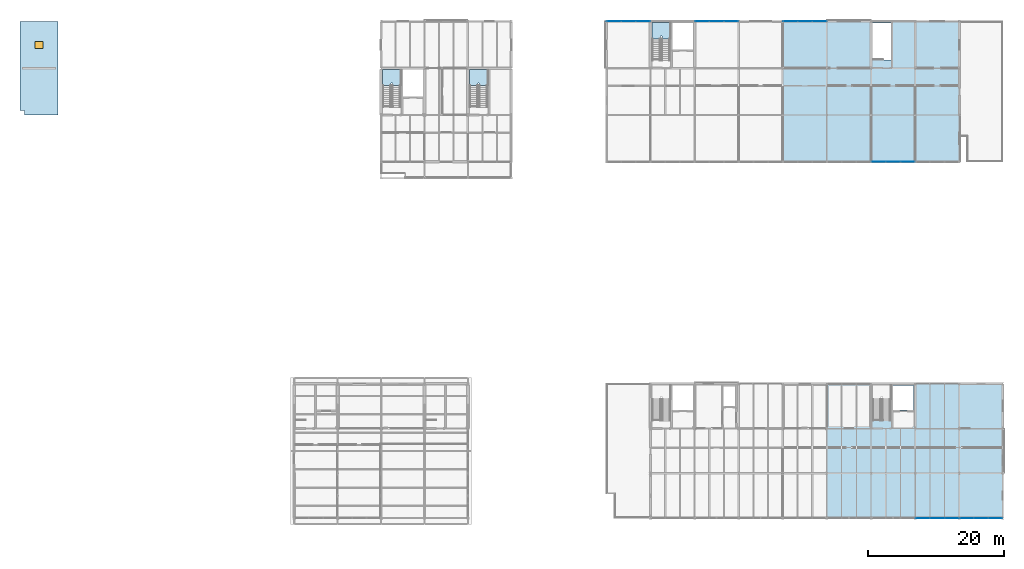
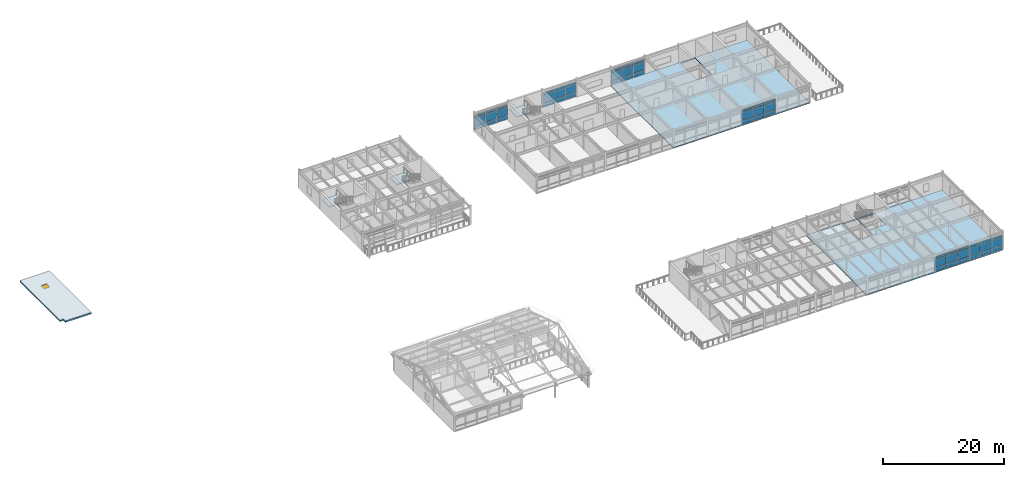
# One storey, part 37 of 57: 54 plates, 6 slabs, 1 door, 1 opening, 9 elements without a shape of their own.
"""IFC4 building model written with IfcOpenShell, lengths in metres."""

from ifc_helpers import new_model, si_unit, direction, frame, origin, origin_2d, place, context, subcontext, project, spatial, polyline, rectangle, outline, extrude, material, layer, layer_set, type_object, element, fill, aggregate, save


model = new_model("IFC4")

# Units and contexts
model_context = context("Model", 3, precision=1e-05, world=origin(), true_north=direction((0.0, 1.0)))
body_context = subcontext(model_context, "Body", "Model", "MODEL_VIEW")
ifc_project = project(units=[si_unit("LENGTHUNIT", "METRE"), si_unit("AREAUNIT", "SQUARE_METRE"), si_unit("VOLUMEUNIT", "CUBIC_METRE"), si_unit("PLANEANGLEUNIT", "RADIAN"), si_unit("MASSUNIT", "GRAM", prefix="KILO")], contexts=[model_context])

# Site, building, storey
site_placement = place(None, origin())
site = spatial("IfcSite", under=ifc_project, at=site_placement, CompositionType="ELEMENT")
building_placement = place(site_placement, origin())
building = spatial("IfcBuilding", under=site, at=building_placement, Name="Trelmorton Wharf Fire Station", CompositionType="ELEMENT")
storey_placement = place(building_placement, frame((0.0, 0.0, 13.5)))
storey = spatial("IfcBuildingStorey", under=building, at=storey_placement, Name="L03", CompositionType="ELEMENT", Elevation=13.5)

# Curtain wall, plates
ifc_material_1 = material(Name="Anodised aluminium AW-6063", Category="aluminium")
ifc_layer_1 = layer(ifc_material_1, 0.159912109375)
ifc_layer_set_1 = layer_set([ifc_layer_1], Name="Anodised aluminium AW-6063")
curtain_wall_type_1 = type_object("IfcCurtainWallType", Name="CW_CHIC_A", PredefinedType="USERDEFINED", material=ifc_layer_set_1)
curtain_wall_1_placement = place(storey_placement, origin())
curtain_wall_1 = element("IfcCurtainWall", 1, at=curtain_wall_1_placement, inside=storey, type_object=curtain_wall_type_1, Name="CW-V5-L03-067", ObjectType="CHICAGO BAY CURTAIN WALL", PredefinedType="USERDEFINED")
ifc_material_2 = material(Name="Tempered low-E double glazing", Category="glass")
ifc_layer_2 = layer(ifc_material_2, 0.028076171875)
ifc_layer_set_2 = layer_set([ifc_layer_2], Name="Tempered low-E double glazing")
plate_type_1 = type_object("IfcPlateType", Name="CWP_GLAZ_28", PredefinedType="CURTAIN_PANEL", material=ifc_layer_set_2)
plate_1_placement = place(storey_placement, frame((154.8984375, 7.800048828125, 0.06005859375), z_axis=(0.0, 0.0, 1.0), x_axis=(-1.0, 0.0, 0.0)))
plate_1 = element("IfcPlate", 2, at=plate_1_placement, type_object=plate_type_1, Name="CW1 panel 1.1", PredefinedType="CURTAIN_PANEL", context=body_context, shape_type="SweptSolid", body=[
    extrude(rectangle(XDim=2.0732421875, YDim=0.028076171875, at=origin_2d()), origin(), (0.0, 0.0, 1.0), 0.760009765625),
])
plate_2_placement = place(storey_placement, frame((154.8984375, 7.800048828125, 0.8798828125), z_axis=(0.0, 0.0, 1.0), x_axis=(-1.0, 0.0, 0.0)))
plate_2 = element("IfcPlate", 3, at=plate_2_placement, type_object=plate_type_1, Name="CW1 panel 1.2", PredefinedType="CURTAIN_PANEL", context=body_context, shape_type="SweptSolid", body=[
    extrude(rectangle(XDim=2.0732421875, YDim=0.028076171875, at=origin_2d()), origin(), (0.0, 0.0, 1.0), 1.610107421875),
])
plate_3_placement = place(storey_placement, frame((154.8984375, 7.800048828125, 2.5498046875), z_axis=(0.0, 0.0, 1.0), x_axis=(-1.0, 0.0, 0.0)))
plate_3 = element("IfcPlate", 4, at=plate_3_placement, type_object=plate_type_1, Name="CW1 panel 1.3", PredefinedType="CURTAIN_PANEL", context=body_context, shape_type="SweptSolid", body=[
    extrude(rectangle(XDim=2.0732421875, YDim=0.028076171875, at=origin_2d()), origin(), (0.0, 0.0, 1.0), 0.409912109375),
])
plate_4_placement = place(storey_placement, frame((152.75, 7.800048828125, 0.06005859375), z_axis=(0.0, 0.0, 1.0), x_axis=(-1.0, 0.0, 0.0)))
plate_4 = element("IfcPlate", 5, at=plate_4_placement, type_object=plate_type_1, Name="CW1 panel 2.1", PredefinedType="CURTAIN_PANEL", context=body_context, shape_type="SweptSolid", body=[
    extrude(rectangle(XDim=2.103271484375, YDim=0.028076171875, at=origin_2d()), origin(), (0.0, 0.0, 1.0), 0.760009765625),
])
plate_5_placement = place(storey_placement, frame((152.75, 7.800048828125, 0.8798828125), z_axis=(0.0, 0.0, 1.0), x_axis=(-1.0, 0.0, 0.0)))
plate_5 = element("IfcPlate", 6, at=plate_5_placement, type_object=plate_type_1, Name="CW1 panel 2.2", PredefinedType="CURTAIN_PANEL", context=body_context, shape_type="SweptSolid", body=[
    extrude(rectangle(XDim=2.103271484375, YDim=0.028076171875, at=origin_2d()), origin(), (0.0, 0.0, 1.0), 1.610107421875),
])
plate_6_placement = place(storey_placement, frame((152.75, 7.800048828125, 2.5498046875), z_axis=(0.0, 0.0, 1.0), x_axis=(-1.0, 0.0, 0.0)))
plate_6 = element("IfcPlate", 7, at=plate_6_placement, type_object=plate_type_1, Name="CW1 panel 2.3", PredefinedType="CURTAIN_PANEL", context=body_context, shape_type="SweptSolid", body=[
    extrude(rectangle(XDim=2.103271484375, YDim=0.028076171875, at=origin_2d()), origin(), (0.0, 0.0, 1.0), 0.409912109375),
])
plate_7_placement = place(storey_placement, frame((150.6015625, 7.800048828125, 0.06005859375), z_axis=(0.0, 0.0, 1.0), x_axis=(-1.0, 0.0, 0.0)))
plate_7 = element("IfcPlate", 8, at=plate_7_placement, type_object=plate_type_1, Name="CW1 panel 3.1", PredefinedType="CURTAIN_PANEL", context=body_context, shape_type="SweptSolid", body=[
    extrude(rectangle(XDim=2.0732421875, YDim=0.028076171875, at=origin_2d()), origin(), (0.0, 0.0, 1.0), 0.760009765625),
])
plate_8_placement = place(storey_placement, frame((150.6015625, 7.800048828125, 0.8798828125), z_axis=(0.0, 0.0, 1.0), x_axis=(-1.0, 0.0, 0.0)))
plate_8 = element("IfcPlate", 9, at=plate_8_placement, type_object=plate_type_1, Name="CW1 panel 3.2", PredefinedType="CURTAIN_PANEL", context=body_context, shape_type="SweptSolid", body=[
    extrude(rectangle(XDim=2.0732421875, YDim=0.028076171875, at=origin_2d()), origin(), (0.0, 0.0, 1.0), 1.610107421875),
])
plate_9_placement = place(storey_placement, frame((150.6015625, 7.800048828125, 2.5498046875), z_axis=(0.0, 0.0, 1.0), x_axis=(-1.0, 0.0, 0.0)))
plate_9 = element("IfcPlate", 10, at=plate_9_placement, type_object=plate_type_1, Name="CW1 panel 3.3", PredefinedType="CURTAIN_PANEL", context=body_context, shape_type="SweptSolid", body=[
    extrude(rectangle(XDim=2.0732421875, YDim=0.028076171875, at=origin_2d()), origin(), (0.0, 0.0, 1.0), 0.409912109375),
])
aggregate(curtain_wall_1, [plate_1, plate_2, plate_3, plate_4, plate_5, plate_6, plate_7, plate_8, plate_9])

ifc_layer_3 = layer(ifc_material_1, 0.175048828125)
ifc_layer_set_3 = layer_set([ifc_layer_3], Name="Anodised aluminium AW-6063")
curtain_wall_type_2 = type_object("IfcCurtainWallType", Name="CW_CHIC_B", PredefinedType="USERDEFINED", material=ifc_layer_set_3)
curtain_wall_2_placement = place(storey_placement, origin())
curtain_wall_2 = element("IfcCurtainWall", 11, at=curtain_wall_2_placement, inside=storey, type_object=curtain_wall_type_2, Name="CW-V5-L03-068", ObjectType="CHICAGO BAY CURTAIN WALL", PredefinedType="USERDEFINED")
plate_10_placement = place(storey_placement, frame((161.31494140625, 7.800048828125, 0.06005859375), z_axis=(0.0, 0.0, 1.0), x_axis=(-1.0, 0.0, 0.0)))
plate_10 = element("IfcPlate", 12, at=plate_10_placement, type_object=plate_type_1, Name="CW2 panel 1.1", PredefinedType="CURTAIN_PANEL", context=body_context, shape_type="SweptSolid", body=[
    extrude(rectangle(XDim=2.0400390625, YDim=0.028076171875, at=origin_2d()), origin(), (0.0, 0.0, 1.0), 0.760009765625),
])
plate_11_placement = place(storey_placement, frame((161.31494140625, 7.800048828125, 0.8798828125), z_axis=(0.0, 0.0, 1.0), x_axis=(-1.0, 0.0, 0.0)))
plate_11 = element("IfcPlate", 13, at=plate_11_placement, type_object=plate_type_1, Name="CW2 panel 1.2", PredefinedType="CURTAIN_PANEL", context=body_context, shape_type="SweptSolid", body=[
    extrude(rectangle(XDim=2.0400390625, YDim=0.028076171875, at=origin_2d()), origin(), (0.0, 0.0, 1.0), 1.610107421875),
])
plate_12_placement = place(storey_placement, frame((161.31494140625, 7.800048828125, 2.5498046875), z_axis=(0.0, 0.0, 1.0), x_axis=(-1.0, 0.0, 0.0)))
plate_12 = element("IfcPlate", 14, at=plate_12_placement, type_object=plate_type_1, Name="CW2 panel 1.3", PredefinedType="CURTAIN_PANEL", context=body_context, shape_type="SweptSolid", body=[
    extrude(rectangle(XDim=2.0400390625, YDim=0.028076171875, at=origin_2d()), origin(), (0.0, 0.0, 1.0), 0.409912109375),
])
plate_13_placement = place(storey_placement, frame((159.199951171875, 7.800048828125, 0.06005859375), z_axis=(0.0, 0.0, 1.0), x_axis=(-1.0, 0.0, 0.0)))
plate_13 = element("IfcPlate", 15, at=plate_13_placement, type_object=plate_type_1, Name="CW2 panel 2.1", PredefinedType="CURTAIN_PANEL", context=body_context, shape_type="SweptSolid", body=[
    extrude(rectangle(XDim=2.070068359375, YDim=0.028076171875, at=origin_2d()), origin(), (0.0, 0.0, 1.0), 0.760009765625),
])
plate_14_placement = place(storey_placement, frame((159.199951171875, 7.800048828125, 0.8798828125), z_axis=(0.0, 0.0, 1.0), x_axis=(-1.0, 0.0, 0.0)))
plate_14 = element("IfcPlate", 16, at=plate_14_placement, type_object=plate_type_1, Name="CW2 panel 2.2", PredefinedType="CURTAIN_PANEL", context=body_context, shape_type="SweptSolid", body=[
    extrude(rectangle(XDim=2.070068359375, YDim=0.028076171875, at=origin_2d()), origin(), (0.0, 0.0, 1.0), 1.610107421875),
])
plate_15_placement = place(storey_placement, frame((159.199951171875, 7.800048828125, 2.5498046875), z_axis=(0.0, 0.0, 1.0), x_axis=(-1.0, 0.0, 0.0)))
plate_15 = element("IfcPlate", 17, at=plate_15_placement, type_object=plate_type_1, Name="CW2 panel 2.3", PredefinedType="CURTAIN_PANEL", context=body_context, shape_type="SweptSolid", body=[
    extrude(rectangle(XDim=2.070068359375, YDim=0.028076171875, at=origin_2d()), origin(), (0.0, 0.0, 1.0), 0.409912109375),
])
plate_16_placement = place(storey_placement, frame((157.0849609375, 7.800048828125, 0.06005859375), z_axis=(0.0, 0.0, 1.0), x_axis=(-1.0, 0.0, 0.0)))
plate_16 = element("IfcPlate", 18, at=plate_16_placement, type_object=plate_type_1, Name="CW2 panel 3.1", PredefinedType="CURTAIN_PANEL", context=body_context, shape_type="SweptSolid", body=[
    extrude(rectangle(XDim=2.0400390625, YDim=0.028076171875, at=origin_2d()), origin(), (0.0, 0.0, 1.0), 0.760009765625),
])
plate_17_placement = place(storey_placement, frame((157.0849609375, 7.800048828125, 0.8798828125), z_axis=(0.0, 0.0, 1.0), x_axis=(-1.0, 0.0, 0.0)))
plate_17 = element("IfcPlate", 19, at=plate_17_placement, type_object=plate_type_1, Name="CW2 panel 3.2", PredefinedType="CURTAIN_PANEL", context=body_context, shape_type="SweptSolid", body=[
    extrude(rectangle(XDim=2.0400390625, YDim=0.028076171875, at=origin_2d()), origin(), (0.0, 0.0, 1.0), 1.610107421875),
])
plate_18_placement = place(storey_placement, frame((157.0849609375, 7.800048828125, 2.5498046875), z_axis=(0.0, 0.0, 1.0), x_axis=(-1.0, 0.0, 0.0)))
plate_18 = element("IfcPlate", 20, at=plate_18_placement, type_object=plate_type_1, Name="CW2 panel 3.3", PredefinedType="CURTAIN_PANEL", context=body_context, shape_type="SweptSolid", body=[
    extrude(rectangle(XDim=2.0400390625, YDim=0.028076171875, at=origin_2d()), origin(), (0.0, 0.0, 1.0), 0.409912109375),
])
aggregate(curtain_wall_2, [plate_10, plate_11, plate_12, plate_13, plate_14, plate_15, plate_16, plate_17, plate_18])

curtain_wall_3_placement = place(storey_placement, origin())
curtain_wall_3 = element("IfcCurtainWall", 21, at=curtain_wall_3_placement, inside=storey, type_object=curtain_wall_type_2, Name="CW-V4-L03-149", ObjectType="CHICAGO BAY CURTAIN WALL", PredefinedType="USERDEFINED")
plate_19_placement = place(storey_placement, frame((148.3984375, 60.300048828125, 0.06005859375), z_axis=(0.0, 0.0, 1.0), x_axis=(-1.0, 0.0, 0.0)))
plate_19 = element("IfcPlate", 22, at=plate_19_placement, type_object=plate_type_1, Name="CW2 panel 1.1", PredefinedType="CURTAIN_PANEL", context=body_context, shape_type="SweptSolid", body=[
    extrude(rectangle(XDim=2.0732421875, YDim=0.028076171875, at=origin_2d()), origin(), (0.0, 0.0, 1.0), 0.760009765625),
])
plate_20_placement = place(storey_placement, frame((148.3984375, 60.300048828125, 0.8798828125), z_axis=(0.0, 0.0, 1.0), x_axis=(-1.0, 0.0, 0.0)))
plate_20 = element("IfcPlate", 23, at=plate_20_placement, type_object=plate_type_1, Name="CW2 panel 1.2", PredefinedType="CURTAIN_PANEL", context=body_context, shape_type="SweptSolid", body=[
    extrude(rectangle(XDim=2.0732421875, YDim=0.028076171875, at=origin_2d()), origin(), (0.0, 0.0, 1.0), 1.610107421875),
])
plate_21_placement = place(storey_placement, frame((148.3984375, 60.300048828125, 2.5498046875), z_axis=(0.0, 0.0, 1.0), x_axis=(-1.0, 0.0, 0.0)))
plate_21 = element("IfcPlate", 24, at=plate_21_placement, type_object=plate_type_1, Name="CW2 panel 1.3", PredefinedType="CURTAIN_PANEL", context=body_context, shape_type="SweptSolid", body=[
    extrude(rectangle(XDim=2.0732421875, YDim=0.028076171875, at=origin_2d()), origin(), (0.0, 0.0, 1.0), 0.409912109375),
])
plate_22_placement = place(storey_placement, frame((146.25, 60.300048828125, 0.06005859375), z_axis=(0.0, 0.0, 1.0), x_axis=(-1.0, 0.0, 0.0)))
plate_22 = element("IfcPlate", 25, at=plate_22_placement, type_object=plate_type_1, Name="CW2 panel 2.1", PredefinedType="CURTAIN_PANEL", context=body_context, shape_type="SweptSolid", body=[
    extrude(rectangle(XDim=2.103271484375, YDim=0.028076171875, at=origin_2d()), origin(), (0.0, 0.0, 1.0), 0.760009765625),
])
plate_23_placement = place(storey_placement, frame((146.25, 60.300048828125, 0.8798828125), z_axis=(0.0, 0.0, 1.0), x_axis=(-1.0, 0.0, 0.0)))
plate_23 = element("IfcPlate", 26, at=plate_23_placement, type_object=plate_type_1, Name="CW2 panel 2.2", PredefinedType="CURTAIN_PANEL", context=body_context, shape_type="SweptSolid", body=[
    extrude(rectangle(XDim=2.103271484375, YDim=0.028076171875, at=origin_2d()), origin(), (0.0, 0.0, 1.0), 1.610107421875),
])
plate_24_placement = place(storey_placement, frame((146.25, 60.300048828125, 2.5498046875), z_axis=(0.0, 0.0, 1.0), x_axis=(-1.0, 0.0, 0.0)))
plate_24 = element("IfcPlate", 27, at=plate_24_placement, type_object=plate_type_1, Name="CW2 panel 2.3", PredefinedType="CURTAIN_PANEL", context=body_context, shape_type="SweptSolid", body=[
    extrude(rectangle(XDim=2.103271484375, YDim=0.028076171875, at=origin_2d()), origin(), (0.0, 0.0, 1.0), 0.409912109375),
])
plate_25_placement = place(storey_placement, frame((144.1015625, 60.300048828125, 0.06005859375), z_axis=(0.0, 0.0, 1.0), x_axis=(-1.0, 0.0, 0.0)))
plate_25 = element("IfcPlate", 28, at=plate_25_placement, type_object=plate_type_1, Name="CW2 panel 3.1", PredefinedType="CURTAIN_PANEL", context=body_context, shape_type="SweptSolid", body=[
    extrude(rectangle(XDim=2.0732421875, YDim=0.028076171875, at=origin_2d()), origin(), (0.0, 0.0, 1.0), 0.760009765625),
])
plate_26_placement = place(storey_placement, frame((144.1015625, 60.300048828125, 0.8798828125), z_axis=(0.0, 0.0, 1.0), x_axis=(-1.0, 0.0, 0.0)))
plate_26 = element("IfcPlate", 29, at=plate_26_placement, type_object=plate_type_1, Name="CW2 panel 3.2", PredefinedType="CURTAIN_PANEL", context=body_context, shape_type="SweptSolid", body=[
    extrude(rectangle(XDim=2.0732421875, YDim=0.028076171875, at=origin_2d()), origin(), (0.0, 0.0, 1.0), 1.610107421875),
])
plate_27_placement = place(storey_placement, frame((144.1015625, 60.300048828125, 2.5498046875), z_axis=(0.0, 0.0, 1.0), x_axis=(-1.0, 0.0, 0.0)))
plate_27 = element("IfcPlate", 30, at=plate_27_placement, type_object=plate_type_1, Name="CW2 panel 3.3", PredefinedType="CURTAIN_PANEL", context=body_context, shape_type="SweptSolid", body=[
    extrude(rectangle(XDim=2.0732421875, YDim=0.028076171875, at=origin_2d()), origin(), (0.0, 0.0, 1.0), 0.409912109375),
])
aggregate(curtain_wall_3, [plate_19, plate_20, plate_21, plate_22, plate_23, plate_24, plate_25, plate_26, plate_27])

ifc_layer_4 = layer(ifc_material_1, 0.14990234375)
ifc_layer_set_4 = layer_set([ifc_layer_4], Name="Anodised aluminium AW-6063")
curtain_wall_type_3 = type_object("IfcCurtainWallType", Name="CW_UNIT_A", PredefinedType="USERDEFINED", material=ifc_layer_set_4)
curtain_wall_4_placement = place(storey_placement, origin())
curtain_wall_4 = element("IfcCurtainWall", 31, at=curtain_wall_4_placement, inside=storey, type_object=curtain_wall_type_3, Name="CW-V4-L03-151", ObjectType="UNITISED CURTAIN WALL", PredefinedType="USERDEFINED")
plate_28_placement = place(storey_placement, frame((105.1015625, 81.0, 0.06005859375), z_axis=(0.0, 0.0, 1.0), x_axis=(1.0, 0.0, 0.0)))
plate_28 = element("IfcPlate", 32, at=plate_28_placement, type_object=plate_type_1, Name="CW3 panel 1.1", PredefinedType="CURTAIN_PANEL", context=body_context, shape_type="SweptSolid", body=[
    extrude(rectangle(XDim=2.0732421875, YDim=0.028076171875, at=origin_2d()), origin(), (0.0, 0.0, 1.0), 0.760009765625),
])
plate_29_placement = place(storey_placement, frame((105.1015625, 81.0, 0.8798828125), z_axis=(0.0, 0.0, 1.0), x_axis=(1.0, 0.0, 0.0)))
plate_29 = element("IfcPlate", 33, at=plate_29_placement, type_object=plate_type_1, Name="CW3 panel 1.2", PredefinedType="CURTAIN_PANEL", context=body_context, shape_type="SweptSolid", body=[
    extrude(rectangle(XDim=2.0732421875, YDim=0.028076171875, at=origin_2d()), origin(), (0.0, 0.0, 1.0), 1.610107421875),
])
plate_30_placement = place(storey_placement, frame((105.1015625, 81.0, 2.5498046875), z_axis=(0.0, 0.0, 1.0), x_axis=(1.0, 0.0, 0.0)))
plate_30 = element("IfcPlate", 34, at=plate_30_placement, type_object=plate_type_1, Name="CW3 panel 1.3", PredefinedType="CURTAIN_PANEL", context=body_context, shape_type="SweptSolid", body=[
    extrude(rectangle(XDim=2.0732421875, YDim=0.028076171875, at=origin_2d()), origin(), (0.0, 0.0, 1.0), 0.409912109375),
])
plate_31_placement = place(storey_placement, frame((107.25, 81.0, 0.06005859375), z_axis=(0.0, 0.0, 1.0), x_axis=(1.0, 0.0, 0.0)))
plate_31 = element("IfcPlate", 35, at=plate_31_placement, type_object=plate_type_1, Name="CW3 panel 2.1", PredefinedType="CURTAIN_PANEL", context=body_context, shape_type="SweptSolid", body=[
    extrude(rectangle(XDim=2.103271484375, YDim=0.028076171875, at=origin_2d()), origin(), (0.0, 0.0, 1.0), 0.760009765625),
])
plate_32_placement = place(storey_placement, frame((107.25, 81.0, 0.8798828125), z_axis=(0.0, 0.0, 1.0), x_axis=(1.0, 0.0, 0.0)))
plate_32 = element("IfcPlate", 36, at=plate_32_placement, type_object=plate_type_1, Name="CW3 panel 2.2", PredefinedType="CURTAIN_PANEL", context=body_context, shape_type="SweptSolid", body=[
    extrude(rectangle(XDim=2.103271484375, YDim=0.028076171875, at=origin_2d()), origin(), (0.0, 0.0, 1.0), 1.610107421875),
])
plate_33_placement = place(storey_placement, frame((107.25, 81.0, 2.5498046875), z_axis=(0.0, 0.0, 1.0), x_axis=(1.0, 0.0, 0.0)))
plate_33 = element("IfcPlate", 37, at=plate_33_placement, type_object=plate_type_1, Name="CW3 panel 2.3", PredefinedType="CURTAIN_PANEL", context=body_context, shape_type="SweptSolid", body=[
    extrude(rectangle(XDim=2.103271484375, YDim=0.028076171875, at=origin_2d()), origin(), (0.0, 0.0, 1.0), 0.409912109375),
])
plate_34_placement = place(storey_placement, frame((109.3984375, 81.0, 0.06005859375), z_axis=(0.0, 0.0, 1.0), x_axis=(1.0, 0.0, 0.0)))
plate_34 = element("IfcPlate", 38, at=plate_34_placement, type_object=plate_type_1, Name="CW3 panel 3.1", PredefinedType="CURTAIN_PANEL", context=body_context, shape_type="SweptSolid", body=[
    extrude(rectangle(XDim=2.0732421875, YDim=0.028076171875, at=origin_2d()), origin(), (0.0, 0.0, 1.0), 0.760009765625),
])
plate_35_placement = place(storey_placement, frame((109.3984375, 81.0, 0.8798828125), z_axis=(0.0, 0.0, 1.0), x_axis=(1.0, 0.0, 0.0)))
plate_35 = element("IfcPlate", 39, at=plate_35_placement, type_object=plate_type_1, Name="CW3 panel 3.2", PredefinedType="CURTAIN_PANEL", context=body_context, shape_type="SweptSolid", body=[
    extrude(rectangle(XDim=2.0732421875, YDim=0.028076171875, at=origin_2d()), origin(), (0.0, 0.0, 1.0), 1.610107421875),
])
plate_36_placement = place(storey_placement, frame((109.3984375, 81.0, 2.5498046875), z_axis=(0.0, 0.0, 1.0), x_axis=(1.0, 0.0, 0.0)))
plate_36 = element("IfcPlate", 40, at=plate_36_placement, type_object=plate_type_1, Name="CW3 panel 3.3", PredefinedType="CURTAIN_PANEL", context=body_context, shape_type="SweptSolid", body=[
    extrude(rectangle(XDim=2.0732421875, YDim=0.028076171875, at=origin_2d()), origin(), (0.0, 0.0, 1.0), 0.409912109375),
])
aggregate(curtain_wall_4, [plate_28, plate_29, plate_30, plate_31, plate_32, plate_33, plate_34, plate_35, plate_36])

curtain_wall_5_placement = place(storey_placement, origin())
curtain_wall_5 = element("IfcCurtainWall", 41, at=curtain_wall_5_placement, inside=storey, type_object=curtain_wall_type_3, Name="CW-V4-L03-152", ObjectType="UNITISED CURTAIN WALL", PredefinedType="USERDEFINED")
plate_37_placement = place(storey_placement, frame((118.1015625, 81.0, 0.06005859375), z_axis=(0.0, 0.0, 1.0), x_axis=(1.0, 0.0, 0.0)))
plate_37 = element("IfcPlate", 42, at=plate_37_placement, type_object=plate_type_1, Name="CW3 panel 1.1", PredefinedType="CURTAIN_PANEL", context=body_context, shape_type="SweptSolid", body=[
    extrude(rectangle(XDim=2.0732421875, YDim=0.028076171875, at=origin_2d()), origin(), (0.0, 0.0, 1.0), 0.760009765625),
])
plate_38_placement = place(storey_placement, frame((118.1015625, 81.0, 0.8798828125), z_axis=(0.0, 0.0, 1.0), x_axis=(1.0, 0.0, 0.0)))
plate_38 = element("IfcPlate", 43, at=plate_38_placement, type_object=plate_type_1, Name="CW3 panel 1.2", PredefinedType="CURTAIN_PANEL", context=body_context, shape_type="SweptSolid", body=[
    extrude(rectangle(XDim=2.0732421875, YDim=0.028076171875, at=origin_2d()), origin(), (0.0, 0.0, 1.0), 1.610107421875),
])
plate_39_placement = place(storey_placement, frame((118.1015625, 81.0, 2.5498046875), z_axis=(0.0, 0.0, 1.0), x_axis=(1.0, 0.0, 0.0)))
plate_39 = element("IfcPlate", 44, at=plate_39_placement, type_object=plate_type_1, Name="CW3 panel 1.3", PredefinedType="CURTAIN_PANEL", context=body_context, shape_type="SweptSolid", body=[
    extrude(rectangle(XDim=2.0732421875, YDim=0.028076171875, at=origin_2d()), origin(), (0.0, 0.0, 1.0), 0.409912109375),
])
plate_40_placement = place(storey_placement, frame((120.25, 81.0, 0.06005859375), z_axis=(0.0, 0.0, 1.0), x_axis=(1.0, 0.0, 0.0)))
plate_40 = element("IfcPlate", 45, at=plate_40_placement, type_object=plate_type_1, Name="CW3 panel 2.1", PredefinedType="CURTAIN_PANEL", context=body_context, shape_type="SweptSolid", body=[
    extrude(rectangle(XDim=2.103271484375, YDim=0.028076171875, at=origin_2d()), origin(), (0.0, 0.0, 1.0), 0.760009765625),
])
plate_41_placement = place(storey_placement, frame((120.25, 81.0, 0.8798828125), z_axis=(0.0, 0.0, 1.0), x_axis=(1.0, 0.0, 0.0)))
plate_41 = element("IfcPlate", 46, at=plate_41_placement, type_object=plate_type_1, Name="CW3 panel 2.2", PredefinedType="CURTAIN_PANEL", context=body_context, shape_type="SweptSolid", body=[
    extrude(rectangle(XDim=2.103271484375, YDim=0.028076171875, at=origin_2d()), origin(), (0.0, 0.0, 1.0), 1.610107421875),
])
plate_42_placement = place(storey_placement, frame((120.25, 81.0, 2.5498046875), z_axis=(0.0, 0.0, 1.0), x_axis=(1.0, 0.0, 0.0)))
plate_42 = element("IfcPlate", 47, at=plate_42_placement, type_object=plate_type_1, Name="CW3 panel 2.3", PredefinedType="CURTAIN_PANEL", context=body_context, shape_type="SweptSolid", body=[
    extrude(rectangle(XDim=2.103271484375, YDim=0.028076171875, at=origin_2d()), origin(), (0.0, 0.0, 1.0), 0.409912109375),
])
plate_43_placement = place(storey_placement, frame((122.3984375, 81.0, 0.06005859375), z_axis=(0.0, 0.0, 1.0), x_axis=(1.0, 0.0, 0.0)))
plate_43 = element("IfcPlate", 48, at=plate_43_placement, type_object=plate_type_1, Name="CW3 panel 3.1", PredefinedType="CURTAIN_PANEL", context=body_context, shape_type="SweptSolid", body=[
    extrude(rectangle(XDim=2.0732421875, YDim=0.028076171875, at=origin_2d()), origin(), (0.0, 0.0, 1.0), 0.760009765625),
])
plate_44_placement = place(storey_placement, frame((122.3984375, 81.0, 0.8798828125), z_axis=(0.0, 0.0, 1.0), x_axis=(1.0, 0.0, 0.0)))
plate_44 = element("IfcPlate", 49, at=plate_44_placement, type_object=plate_type_1, Name="CW3 panel 3.2", PredefinedType="CURTAIN_PANEL", context=body_context, shape_type="SweptSolid", body=[
    extrude(rectangle(XDim=2.0732421875, YDim=0.028076171875, at=origin_2d()), origin(), (0.0, 0.0, 1.0), 1.610107421875),
])
plate_45_placement = place(storey_placement, frame((122.3984375, 81.0, 2.5498046875), z_axis=(0.0, 0.0, 1.0), x_axis=(1.0, 0.0, 0.0)))
plate_45 = element("IfcPlate", 50, at=plate_45_placement, type_object=plate_type_1, Name="CW3 panel 3.3", PredefinedType="CURTAIN_PANEL", context=body_context, shape_type="SweptSolid", body=[
    extrude(rectangle(XDim=2.0732421875, YDim=0.028076171875, at=origin_2d()), origin(), (0.0, 0.0, 1.0), 0.409912109375),
])
aggregate(curtain_wall_5, [plate_37, plate_38, plate_39, plate_40, plate_41, plate_42, plate_43, plate_44, plate_45])

curtain_wall_6_placement = place(storey_placement, origin())
curtain_wall_6 = element("IfcCurtainWall", 51, at=curtain_wall_6_placement, inside=storey, type_object=curtain_wall_type_3, Name="CW-V4-L03-153", ObjectType="UNITISED CURTAIN WALL", PredefinedType="USERDEFINED")
ifc_layer_5 = layer(ifc_material_2, 0.028076171875)
ifc_layer_set_5 = layer_set([ifc_layer_5], Name="Tempered low-E double glazing")
plate_type_2 = type_object("IfcPlateType", Name="CWP_GLAZ_38", PredefinedType="CURTAIN_PANEL", material=ifc_layer_set_5)
plate_46_placement = place(storey_placement, frame((131.1015625, 81.0, 0.06005859375), z_axis=(0.0, 0.0, 1.0), x_axis=(1.0, 0.0, 0.0)))
plate_46 = element("IfcPlate", 52, at=plate_46_placement, type_object=plate_type_2, Name="CW3 panel 1.1", PredefinedType="CURTAIN_PANEL", context=body_context, shape_type="SweptSolid", body=[
    extrude(rectangle(XDim=2.0732421875, YDim=0.028076171875, at=origin_2d()), origin(), (0.0, 0.0, 1.0), 0.760009765625),
])
plate_47_placement = place(storey_placement, frame((131.1015625, 81.0, 0.8798828125), z_axis=(0.0, 0.0, 1.0), x_axis=(1.0, 0.0, 0.0)))
plate_47 = element("IfcPlate", 53, at=plate_47_placement, type_object=plate_type_2, Name="CW3 panel 1.2", PredefinedType="CURTAIN_PANEL", context=body_context, shape_type="SweptSolid", body=[
    extrude(rectangle(XDim=2.0732421875, YDim=0.028076171875, at=origin_2d()), origin(), (0.0, 0.0, 1.0), 1.610107421875),
])
plate_48_placement = place(storey_placement, frame((131.1015625, 81.0, 2.5498046875), z_axis=(0.0, 0.0, 1.0), x_axis=(1.0, 0.0, 0.0)))
plate_48 = element("IfcPlate", 54, at=plate_48_placement, type_object=plate_type_2, Name="CW3 panel 1.3", PredefinedType="CURTAIN_PANEL", context=body_context, shape_type="SweptSolid", body=[
    extrude(rectangle(XDim=2.0732421875, YDim=0.028076171875, at=origin_2d()), origin(), (0.0, 0.0, 1.0), 0.409912109375),
])
plate_49_placement = place(storey_placement, frame((133.25, 81.0, 0.06005859375), z_axis=(0.0, 0.0, 1.0), x_axis=(1.0, 0.0, 0.0)))
plate_49 = element("IfcPlate", 55, at=plate_49_placement, type_object=plate_type_2, Name="CW3 panel 2.1", PredefinedType="CURTAIN_PANEL", context=body_context, shape_type="SweptSolid", body=[
    extrude(rectangle(XDim=2.103271484375, YDim=0.028076171875, at=origin_2d()), origin(), (0.0, 0.0, 1.0), 0.760009765625),
])
plate_50_placement = place(storey_placement, frame((133.25, 81.0, 0.8798828125), z_axis=(0.0, 0.0, 1.0), x_axis=(1.0, 0.0, 0.0)))
plate_50 = element("IfcPlate", 56, at=plate_50_placement, type_object=plate_type_2, Name="CW3 panel 2.2", PredefinedType="CURTAIN_PANEL", context=body_context, shape_type="SweptSolid", body=[
    extrude(rectangle(XDim=2.103271484375, YDim=0.028076171875, at=origin_2d()), origin(), (0.0, 0.0, 1.0), 1.610107421875),
])
plate_51_placement = place(storey_placement, frame((133.25, 81.0, 2.5498046875), z_axis=(0.0, 0.0, 1.0), x_axis=(1.0, 0.0, 0.0)))
plate_51 = element("IfcPlate", 57, at=plate_51_placement, type_object=plate_type_2, Name="CW3 panel 2.3", PredefinedType="CURTAIN_PANEL", context=body_context, shape_type="SweptSolid", body=[
    extrude(rectangle(XDim=2.103271484375, YDim=0.028076171875, at=origin_2d()), origin(), (0.0, 0.0, 1.0), 0.409912109375),
])
plate_52_placement = place(storey_placement, frame((135.3984375, 81.0, 0.06005859375), z_axis=(0.0, 0.0, 1.0), x_axis=(1.0, 0.0, 0.0)))
plate_52 = element("IfcPlate", 58, at=plate_52_placement, type_object=plate_type_2, Name="CW3 panel 3.1", PredefinedType="CURTAIN_PANEL", context=body_context, shape_type="SweptSolid", body=[
    extrude(rectangle(XDim=2.0732421875, YDim=0.028076171875, at=origin_2d()), origin(), (0.0, 0.0, 1.0), 0.760009765625),
])
plate_53_placement = place(storey_placement, frame((135.3984375, 81.0, 0.8798828125), z_axis=(0.0, 0.0, 1.0), x_axis=(1.0, 0.0, 0.0)))
plate_53 = element("IfcPlate", 59, at=plate_53_placement, type_object=plate_type_2, Name="CW3 panel 3.2", PredefinedType="CURTAIN_PANEL", context=body_context, shape_type="SweptSolid", body=[
    extrude(rectangle(XDim=2.0732421875, YDim=0.028076171875, at=origin_2d()), origin(), (0.0, 0.0, 1.0), 1.610107421875),
])
plate_54_placement = place(storey_placement, frame((135.3984375, 81.0, 2.5498046875), z_axis=(0.0, 0.0, 1.0), x_axis=(1.0, 0.0, 0.0)))
plate_54 = element("IfcPlate", 60, at=plate_54_placement, type_object=plate_type_2, Name="CW3 panel 3.3", PredefinedType="CURTAIN_PANEL", context=body_context, shape_type="SweptSolid", body=[
    extrude(rectangle(XDim=2.0732421875, YDim=0.028076171875, at=origin_2d()), origin(), (0.0, 0.0, 1.0), 0.409912109375),
])
aggregate(curtain_wall_6, [plate_46, plate_47, plate_48, plate_49, plate_50, plate_51, plate_52, plate_53, plate_54])

# Slabs
ifc_material_3 = material(Name="Concrete 40 MPa", Category="concrete")
ifc_layer_6 = layer(ifc_material_3, 0.199951171875)
ifc_layer_set_6 = layer_set([ifc_layer_6], Name="Concrete 40 MPa")
slab_type_1 = type_object("IfcSlabType", Name="SL_FLOOR_200", PredefinedType="FLOOR", material=ifc_layer_set_6)
slab_1_placement = place(storey_placement, frame((0.0, 0.0, -0.199951171875)))
element("IfcSlab", 61, at=slab_1_placement, inside=storey, type_object=slab_type_1, Name="SL-V5-L03-023", PredefinedType="FLOOR", context=body_context, shape_type="SweptSolid", body=[
    extrude(outline(polyline([(162.39990234375, 27.60009765625), (162.39990234375, 7.800048828125), (136.449951171875, 7.800048828125), (136.449951171875, 27.60009765625), (162.39990234375, 27.60009765625)]), holes=[polyline([(143.219970703125, 22.239990234375), (146.010009765625, 22.239990234375), (146.010009765625, 27.3798828125), (143.219970703125, 27.3798828125), (143.219970703125, 22.239990234375)]), polyline([(146.239990234375, 27.3798828125), (146.239990234375, 23.719970703125), (149.280029296875, 23.719970703125), (149.280029296875, 27.3798828125), (146.239990234375, 27.3798828125)])]), origin(), (0.0, 0.0, 1.0), 0.199951171875),
])
slab_2_placement = place(storey_placement, frame((0.0, 0.0, -0.199951171875)))
element("IfcSlab", 62, at=slab_2_placement, inside=storey, type_object=slab_type_1, Name="SL-V4-L03-060", PredefinedType="FLOOR", context=body_context, shape_type="SweptSolid", body=[
    extrude(outline(polyline([(156.0, 60.300048828125), (130.0, 60.300048828125), (130.0, 81.0), (156.0, 81.0), (156.0, 60.300048828125)]), holes=[polyline([(143.219970703125, 80.780029296875), (143.219970703125, 75.340087890625), (146.010009765625, 75.340087890625), (146.010009765625, 80.780029296875), (143.219970703125, 80.780029296875)])]), origin(), (0.0, 0.0, 1.0), 0.199951171875),
])

# Stair, slab
ifc_material_4 = material(Name="Precast concrete 45 MPa", Category="concrete")
stair_type = type_object("IfcStairType", Name="ST_DOG_390", PredefinedType="HALF_TURN_STAIR", material=ifc_material_4)
stair_1_placement = place(storey_placement, origin())
stair_1 = element("IfcStair", 63, at=stair_1_placement, inside=storey, type_object=stair_type, Name="Escape Stair ST8-L03", PredefinedType="HALF_TURN_STAIR")
ifc_layer_7 = layer(ifc_material_4, 0.199951171875)
ifc_layer_set_7 = layer_set([ifc_layer_7], Name="Precast concrete 45 MPa")
slab_type_2 = type_object("IfcSlabType", Name="SL_LAND_180", PredefinedType="LANDING", material=ifc_layer_set_7)
slab_3_placement = place(storey_placement, frame((0.0, 0.0, 1.75)))
slab_3 = element("IfcSlab", 64, at=slab_3_placement, type_object=slab_type_2, Name="ST8-L03 landing 1", PredefinedType="LANDING", context=body_context, shape_type="SweptSolid", body=[
    extrude(outline(polyline([(71.0048828125, 71.530029296875), (72.260009765625, 71.530029296875), (72.260009765625, 71.949951171875), (72.4599609375, 71.949951171875), (72.4599609375, 71.530029296875), (73.804931640625, 71.530029296875), (73.804931640625, 73.89501953125), (71.0048828125, 73.89501953125), (71.0048828125, 71.530029296875)])), origin(), (0.0, 0.0, 1.0), 0.199951171875),
])
aggregate(stair_1, [slab_3])

stair_2_placement = place(storey_placement, origin())
stair_2 = element("IfcStair", 65, at=stair_2_placement, inside=storey, type_object=stair_type, Name="Escape Stair ST9-L03", PredefinedType="HALF_TURN_STAIR")
slab_4_placement = place(storey_placement, frame((0.0, 0.0, 1.75)))
slab_4 = element("IfcSlab", 66, at=slab_4_placement, type_object=slab_type_2, Name="ST9-L03 landing 1", PredefinedType="LANDING", context=body_context, shape_type="SweptSolid", body=[
    extrude(outline(polyline([(83.804931640625, 71.530029296875), (85.06005859375, 71.530029296875), (85.06005859375, 71.949951171875), (85.260009765625, 71.949951171875), (85.260009765625, 71.530029296875), (86.60498046875, 71.530029296875), (86.60498046875, 73.89501953125), (83.804931640625, 73.89501953125), (83.804931640625, 71.530029296875)])), origin(), (0.0, 0.0, 1.0), 0.199951171875),
])
aggregate(stair_2, [slab_4])

stair_3_placement = place(storey_placement, origin())
stair_3 = element("IfcStair", 67, at=stair_3_placement, inside=storey, type_object=stair_type, Name="Escape Stair ST10-L03", PredefinedType="HALF_TURN_STAIR")
slab_5_placement = place(storey_placement, frame((0.0, 0.0, 1.75)))
slab_5 = element("IfcSlab", 68, at=slab_5_placement, type_object=slab_type_2, Name="ST10-L03 landing 1", PredefinedType="LANDING", context=body_context, shape_type="SweptSolid", body=[
    extrude(outline(polyline([(110.705078125, 78.429931640625), (111.9599609375, 78.429931640625), (111.9599609375, 78.85009765625), (112.159912109375, 78.85009765625), (112.159912109375, 78.429931640625), (113.5048828125, 78.429931640625), (113.5048828125, 80.794921875), (110.705078125, 80.794921875), (110.705078125, 78.429931640625)])), origin(), (0.0, 0.0, 1.0), 0.199951171875),
])
aggregate(stair_3, [slab_5])

# Slab, opening, door
ifc_layer_8 = layer(ifc_material_3, 0.27001953125)
ifc_layer_set_8 = layer_set([ifc_layer_8], Name="Concrete 40 MPa")
slab_type_3 = type_object("IfcSlabType", Name="SL_ROOF_FLAT_190", PredefinedType="ROOF", material=ifc_layer_set_8)
slab_6_placement = place(storey_placement, frame((0.0, 0.0, -0.27001953125)))
slab_6 = element("IfcSlab", 69, at=slab_6_placement, inside=storey, type_object=slab_type_3, Name="SL-ROOF-V6-HH", PredefinedType="ROOF", context=body_context, shape_type="SweptSolid", body=[
    extrude(outline(polyline([(23.199951171875, 81.0), (23.199951171875, 67.199951171875), (18.25, 67.199951171875), (18.25, 67.85009765625), (17.60009765625, 67.85009765625), (17.60009765625, 81.0), (23.199951171875, 81.0)]), holes=[polyline([(20.875, 77.97509765625), (19.925048828125, 77.97509765625), (19.925048828125, 77.02490234375), (20.875, 77.02490234375), (20.875, 77.97509765625)])]), origin(), (0.0, 0.0, 1.0), 0.27001953125),
])
opening_placement = place(slab_6_placement, frame((20.39990234375, 77.5, 0.0)))
opening = element("IfcOpeningElement", 70, at=opening_placement, cuts=slab_6, Name="Opening HT-04", PredefinedType="OPENING", context=body_context, shape_type="SweptSolid", body=[
    extrude(rectangle(XDim=1.14990234375, YDim=1.0, at=origin_2d()), origin(), (0.0, 0.0, 1.0), 0.27001953125),
])
door_type = type_object("IfcDoorType", Name="DR_TRAP_115", OperationType="SINGLE_SWING_LEFT", PredefinedType="TRAPDOOR", material=ifc_material_1)
door_placement = place(opening_placement, frame((0.0, 0.0, 0.219970703125)))
door = element("IfcDoor", 71, at=door_placement, inside=storey, type_object=door_type, Name="Roof Access Trapdoor HT-04", OperationType="SINGLE_SWING_LEFT", OverallHeight=1.0, OverallWidth=1.14990234375, PredefinedType="TRAPDOOR", context=body_context, shape_type="SweptSolid", body=[
    extrude(rectangle(XDim=1.14990234375, YDim=1.0, at=origin_2d()), origin(), (0.0, 0.0, 1.0), 0.050048828125),
])
fill(opening, door)

save(model, "model.ifc")
